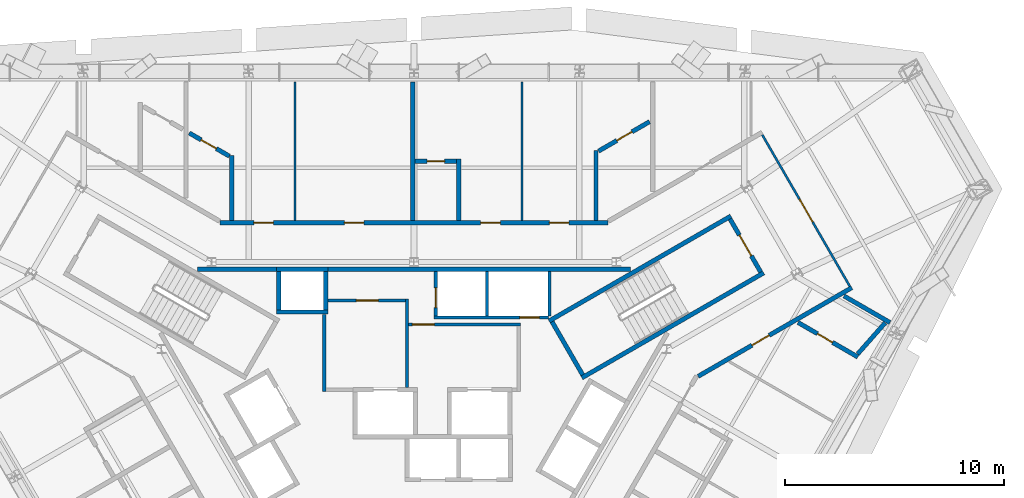
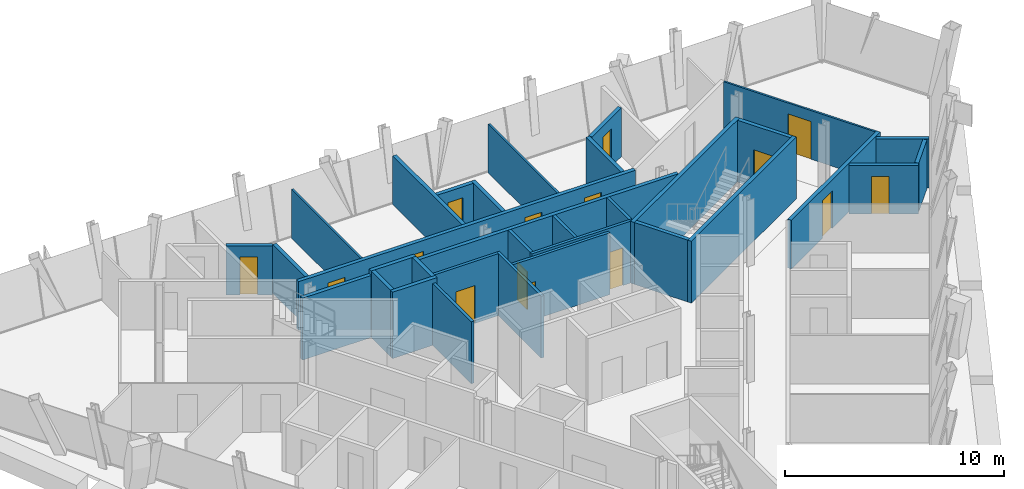
# One storey, part 8 of 11: 33 walls, 15 doors, 15 openings.
"""IFC4 building model written with IfcOpenShell, lengths in metres."""

from ifc_helpers import new_model, si_unit, direction, frame, frame_2d, origin, place, context, subcontext, project, spatial, rectangle, extrude, material, layer, layer_set, type_object, element, fill, save


model = new_model("IFC4")

# Units and contexts
model_context = context("Model", 3, precision=1e-05, world=origin(), true_north=direction((0.0, 1.0)))
body_context = subcontext(model_context, "Body", "Model", "MODEL_VIEW")
ifc_project = project(units=[si_unit("LENGTHUNIT", "METRE"), si_unit("AREAUNIT", "SQUARE_METRE"), si_unit("VOLUMEUNIT", "CUBIC_METRE"), si_unit("PLANEANGLEUNIT", "RADIAN"), si_unit("MASSUNIT", "GRAM", prefix="KILO")], contexts=[model_context])

# Site, building, storey
site_placement = place(None, origin())
site = spatial("IfcSite", under=ifc_project, at=site_placement, CompositionType="ELEMENT")
building_placement = place(site_placement, origin())
building = spatial("IfcBuilding", under=site, at=building_placement, Name="Verrane Prism Tower", CompositionType="ELEMENT")
storey_placement = place(building_placement, frame((0.0, 0.0, 156.199951171875)))
storey = spatial("IfcBuildingStorey", under=building, at=storey_placement, Name="L38", CompositionType="ELEMENT", Elevation=156.199951171875)

# Walls
ifc_material_1 = material(Name="Gypsum board partition", Category="other")
ifc_layer_1 = layer(ifc_material_1, 0.199951171875)
ifc_layer_set_1 = layer_set([ifc_layer_1], Name="CW-200 core boundary wall 2 h")
wall_type_1 = type_object("IfcWallType", Name="CW-200 core boundary wall 2 h", PredefinedType="PARTITIONING", material=ifc_layer_set_1)
wall_1_placement = place(storey_placement, frame((-9.907958984375, 7.659912109375, 0.0), z_axis=(0.0, 0.0, 1.0), x_axis=(1.0, 0.0, 0.0)))
element("IfcWall", 1, at=wall_1_placement, inside=storey, type_object=wall_type_1, Name="Core boundary wall CW3-002", PredefinedType="PARTITIONING", context=body_context, shape_type="SweptSolid", body=[
    extrude(rectangle(XDim=3.620849609375, YDim=0.199951171875, at=frame_2d((1.810546875, 0.0))), origin(), (0.0, 0.0, 1.0), 3.449951171875),
])
wall_2_placement = place(storey_placement, frame((-3.93310546875, 7.659912109375, 0.0), z_axis=(0.0, 0.0, 1.0), x_axis=(1.0, 0.0, 0.0)))
element("IfcWall", 2, at=wall_2_placement, inside=storey, type_object=wall_type_1, Name="Core boundary wall CW3-005", PredefinedType="PARTITIONING", context=body_context, shape_type="SweptSolid", body=[
    extrude(rectangle(XDim=13.841064453125, YDim=0.199951171875, at=frame_2d((6.92041015625, 0.0))), origin(), (0.0, 0.0, 1.0), 3.449951171875),
])

# Wall, opening, door
ifc_material_2 = material(Name="Concrete C40/50", Category="concrete")
ifc_layer_2 = layer(ifc_material_2, 0.199951171875)
ifc_layer_set_2 = layer_set([ifc_layer_2], Name="CW-200 stair core wall concrete C40/50 3 h")
wall_type_2 = type_object("IfcWallType", Name="CW-200 stair core wall concrete C40/50 3 h", PredefinedType="PARTITIONING", material=ifc_layer_set_2)
wall_3_placement = place(storey_placement, frame((15.85546875, 7.53759765625, 0.0), z_axis=(0.0, 0.0, 1.0), x_axis=(-0.500049511043, 0.865996816683, 0.0)))
wall_3 = element("IfcWall", 3, at=wall_3_placement, inside=storey, type_object=wall_type_2, Name="Stair 1 enclosure wall", PredefinedType="PARTITIONING", context=body_context, shape_type="SweptSolid", body=[
    extrude(rectangle(XDim=2.800048828125, YDim=0.199951171875, at=frame_2d((1.39990234375, 0.0))), origin(), (0.0, 0.0, 1.0), 3.449951171875),
])
opening_1_placement = place(wall_3_placement, frame((0.849853515625, 0.0, 0.0)))
opening_1 = element("IfcOpeningElement", 4, at=opening_1_placement, cuts=wall_3, Name="Opening D36500", PredefinedType="OPENING", context=body_context, shape_type="SweptSolid", body=[
    extrude(rectangle(XDim=1.10009765625, YDim=2.10009765625, at=frame_2d((0.550048828125, 1.050048828125))), frame((0.0, 0.10986328125, 0.0), z_axis=(0.0, -1.0, 0.0), x_axis=(1.0, 0.0, 0.0)), (0.0, 0.0, 1.0), 0.219970703125),
])
ifc_material_3 = material(Name="Timber veneered door leaf", Category="wood")
door_type_1 = type_object("IfcDoorType", Name="DR-1100x2100 FD90 single leaf stair", OperationType="NOTDEFINED", PredefinedType="DOOR", material=ifc_material_3)
door_1_placement = place(opening_1_placement, origin())
door_1 = element("IfcDoor", 5, at=door_1_placement, inside=storey, type_object=door_type_1, Name="Stair 1 door", OperationType="SINGLE_SWING_LEFT", OverallHeight=2.10009765625, OverallWidth=1.10009765625, PredefinedType="DOOR", context=body_context, shape_type="SweptSolid", body=[
    extrude(rectangle(XDim=1.10009765625, YDim=2.10009765625, at=frame_2d((0.550048828125, 1.050048828125))), frame((0.0, 0.02490234375, 0.0), z_axis=(0.0, -1.0, 0.0), x_axis=(1.0, 0.0, 0.0)), (0.0, 0.0, 1.0), 0.050048828125),
])
fill(opening_1, door_1)

# Walls
for number, where, z_axis, x_axis, name in (
    (6, (6.17822265625, 5.299072265625, 0.0), (0.0, 0.0, 1.0), (0.866019993635, 0.500009370536, 0.0), "Stair 1 enclosure wall"),
    (7, (7.67822265625, 2.700927734375, 0.0), (0.0, 0.0, 1.0), (0.866019993635, 0.500009370536, 0.0), "Stair 1 enclosure wall"),
):
    element("IfcWall", number, at=place(storey_placement, frame(where, z_axis=z_axis, x_axis=x_axis)), inside=storey, type_object=wall_type_2, Name=name, PredefinedType="PARTITIONING", context=body_context, shape_type="SweptSolid", body=[
        extrude(rectangle(XDim=9.599853515625, YDim=0.199951171875, at=frame_2d((4.7998046875, 0.0))), origin(), (0.0, 0.0, 1.0), 3.449951171875),
    ])
wall_4_placement = place(storey_placement, frame((7.71484375, 2.837646484375, 0.0), z_axis=(0.0, 0.0, 1.0), x_axis=(-0.500049511043, 0.865996816683, 0.0)))
element("IfcWall", 8, at=wall_4_placement, inside=storey, type_object=wall_type_2, Name="Stair 1 enclosure wall", PredefinedType="PARTITIONING", context=body_context, shape_type="SweptSolid", body=[
    extrude(rectangle(XDim=2.800048828125, YDim=0.199951171875, at=frame_2d((1.39990234375, 0.0))), origin(), (0.0, 0.0, 1.0), 3.449951171875),
])
ifc_material_4 = material(Name="Gypsum board shaft wall assembly", Category="other")
ifc_layer_3 = layer(ifc_material_4, 0.199951171875)
ifc_layer_set_3 = layer_set([ifc_layer_3], Name="HW-200 lift shaft wall 2 h")
wall_type_3 = type_object("IfcWallType", Name="HW-200 lift shaft wall 2 h", PredefinedType="PARTITIONING", material=ifc_layer_set_3)
for number, where, z_axis, x_axis, name in (
    (9, (-6.284912109375, 5.7099609375, 0.0), (0.0, 0.0, 1.0), (1.0, 0.0, 0.0), "Lift shaft wall"),
    (10, (-6.284912109375, 7.659912109375, 0.0), (0.0, 0.0, 1.0), (1.0, 0.0, 0.0), "Lift shaft wall"),
):
    element("IfcWall", number, at=place(storey_placement, frame(where, z_axis=z_axis, x_axis=x_axis)), inside=storey, type_object=wall_type_3, Name=name, PredefinedType="PARTITIONING", context=body_context, shape_type="SweptSolid", body=[
        extrude(rectangle(XDim=2.349853515625, YDim=0.199951171875, at=frame_2d((1.1748046875, 0.0))), origin(), (0.0, 0.0, 1.0), 3.699951171875),
    ])
for number, where, z_axis, x_axis, name in (
    (11, (-4.034912109375, 5.81005859375, 0.0), (0.0, 0.0, 1.0), (0.0, 1.0, 0.0), "Lift shaft wall"),
    (12, (-6.18505859375, 5.81005859375, 0.0), (0.0, 0.0, 1.0), (0.0, 1.0, 0.0), "Lift shaft wall"),
):
    element("IfcWall", number, at=place(storey_placement, frame(where, z_axis=z_axis, x_axis=x_axis)), inside=storey, type_object=wall_type_3, Name=name, PredefinedType="PARTITIONING", context=body_context, shape_type="SweptSolid", body=[
        extrude(rectangle(XDim=1.75, YDim=0.199951171875, at=frame_2d((0.875, 0.0))), origin(), (0.0, 0.0, 1.0), 3.699951171875),
    ])
ifc_material_5 = material(Name="Gypsum board partition", Category="other")
ifc_layer_4 = layer(ifc_material_5, 0.14990234375)
ifc_layer_set_4 = layer_set([ifc_layer_4], Name="LF-150 firefighting lobby wall 1 h")
wall_type_4 = type_object("IfcWallType", Name="LF-150 firefighting lobby wall 1 h", PredefinedType="PARTITIONING", material=ifc_layer_set_4)
wall_5_placement = place(storey_placement, frame((-4.10009765625, 2.0849609375, 0.0), z_axis=(0.0, 0.0, 1.0), x_axis=(0.0, 1.0, 0.0)))
element("IfcWall", 13, at=wall_5_placement, inside=storey, type_object=wall_type_4, Name="Firefighting lobby wall LF1-001", PredefinedType="PARTITIONING", context=body_context, shape_type="SweptSolid", body=[
    extrude(rectangle(XDim=3.52294921875, YDim=0.14990234375, at=frame_2d((1.761474609375, 0.0))), origin(), (0.0, 0.0, 1.0), 3.449951171875),
])

# Wall, opening, door
wall_6_placement = place(storey_placement, frame((-3.93310546875, 6.239990234375, 0.0), z_axis=(0.0, 0.0, 1.0), x_axis=(1.0, 0.0, 0.0)))
wall_6 = element("IfcWall", 14, at=wall_6_placement, inside=storey, type_object=wall_type_4, Name="Firefighting lobby wall LF1-003", PredefinedType="PARTITIONING", context=body_context, shape_type="SweptSolid", body=[
    extrude(rectangle(XDim=3.5380859375, YDim=0.14990234375, at=frame_2d((1.76904296875, 0.0))), origin(), (0.0, 0.0, 1.0), 3.449951171875),
])
opening_2_placement = place(wall_6_placement, frame((1.300048828125, 0.0, 0.0)))
opening_2 = element("IfcOpeningElement", 15, at=opening_2_placement, cuts=wall_6, Name="Opening D36512", PredefinedType="OPENING", context=body_context, shape_type="SweptSolid", body=[
    extrude(rectangle(XDim=1.0, YDim=2.10009765625, at=frame_2d((0.5, 1.050048828125))), frame((0.0, 0.0849609375, 0.0), z_axis=(0.0, -1.0, 0.0), x_axis=(1.0, 0.0, 0.0)), (0.0, 0.0, 1.0), 0.169921875),
])
ifc_material_6 = material(Name="Timber veneered door leaf", Category="wood")
door_type_2 = type_object("IfcDoorType", Name="DR-1000x2100 FD60 single leaf firefighting lobby", OperationType="NOTDEFINED", PredefinedType="DOOR", material=ifc_material_6)
door_2_placement = place(opening_2_placement, origin())
door_2 = element("IfcDoor", 16, at=door_2_placement, inside=storey, type_object=door_type_2, Name="Firefighting lobby door D36512", OperationType="SINGLE_SWING_LEFT", OverallHeight=2.10009765625, OverallWidth=1.0, PredefinedType="DOOR", context=body_context, shape_type="SweptSolid", body=[
    extrude(rectangle(XDim=1.0, YDim=2.10009765625, at=frame_2d((0.5, 1.050048828125))), frame((0.0, 0.02490234375, 0.0), z_axis=(0.0, -1.0, 0.0), x_axis=(1.0, 0.0, 0.0)), (0.0, 0.0, 1.0), 0.050048828125),
])
fill(opening_2, door_2)

# Wall
wall_7_placement = place(storey_placement, frame((-0.320068359375, 2.251953125, 0.0), z_axis=(0.0, 0.0, 1.0), x_axis=(0.0, 1.0, 0.0)))
element("IfcWall", 17, at=wall_7_placement, inside=storey, type_object=wall_type_4, Name="Firefighting lobby wall LF1-004", PredefinedType="PARTITIONING", context=body_context, shape_type="SweptSolid", body=[
    extrude(rectangle(XDim=4.06298828125, YDim=0.14990234375, at=frame_2d((2.031494140625, 0.0))), origin(), (0.0, 0.0, 1.0), 3.449951171875),
])

# Wall, opening, door
wall_8_placement = place(storey_placement, frame((-0.2451171875, 5.139892578125, 0.0), z_axis=(0.0, 0.0, 1.0), x_axis=(1.0, 0.0, 0.0)))
wall_8 = element("IfcWall", 18, at=wall_8_placement, inside=storey, type_object=wall_type_4, Name="Firefighting lobby wall LF1-005", PredefinedType="PARTITIONING", context=body_context, shape_type="SweptSolid", body=[
    extrude(rectangle(XDim=5.110107421875, YDim=0.14990234375, at=frame_2d((2.55517578125, 0.0))), origin(), (0.0, 0.0, 1.0), 3.449951171875),
])
opening_3_placement = place(wall_8_placement, frame((0.175048828125, 0.0, 0.0)))
opening_3 = element("IfcOpeningElement", 19, at=opening_3_placement, cuts=wall_8, Name="Opening D36513", PredefinedType="OPENING", context=body_context, shape_type="SweptSolid", body=[
    extrude(rectangle(XDim=1.0, YDim=2.10009765625, at=frame_2d((0.5, 1.050048828125))), frame((0.0, 0.0849609375, 0.0), z_axis=(0.0, -1.0, 0.0), x_axis=(1.0, 0.0, 0.0)), (0.0, 0.0, 1.0), 0.169921875),
])
door_3_placement = place(opening_3_placement, origin())
door_3 = element("IfcDoor", 20, at=door_3_placement, inside=storey, type_object=door_type_2, Name="Firefighting lobby door D36513", OperationType="SINGLE_SWING_LEFT", OverallHeight=2.10009765625, OverallWidth=1.0, PredefinedType="DOOR", context=body_context, shape_type="SweptSolid", body=[
    extrude(rectangle(XDim=1.0, YDim=2.10009765625, at=frame_2d((0.5, 1.050048828125))), frame((0.0, 0.02490234375, 0.0), z_axis=(0.0, -1.0, 0.0), x_axis=(1.0, 0.0, 0.0)), (0.0, 0.0, 1.0), 0.050048828125),
])
fill(opening_3, door_3)

# Walls
ifc_material_7 = material(Name="Gypsum board partition", Category="other")
ifc_layer_5 = layer(ifc_material_7, 0.10009765625)
ifc_layer_set_5 = layer_set([ifc_layer_5], Name="PW-100 room partition")
wall_type_5 = type_object("IfcWallType", Name="PW-100 room partition", PredefinedType="PARTITIONING", material=ifc_layer_set_5)
for number, where, z_axis, x_axis, name in (
    (21, (-5.43701171875, 9.89990234375, 0.0), (0.0, 0.0, 1.0), (0.0, 1.0, 0.0), "Room partition 023"),
    (22, (4.93798828125, 9.89990234375, 0.0), (0.0, 0.0, 1.0), (0.0, 1.0, 0.0), "Room partition 032"),
):
    element("IfcWall", number, at=place(storey_placement, frame(where, z_axis=z_axis, x_axis=x_axis)), inside=storey, type_object=wall_type_5, Name=name, PredefinedType="PARTITIONING", context=body_context, shape_type="SweptSolid", body=[
        extrude(rectangle(XDim=6.335205078125, YDim=0.10009765625, at=frame_2d((3.16748046875, 0.0))), origin(), (0.0, 0.0, 1.0), 2.713134765625),
    ])

# Wall, opening, door
wall_9_placement = place(storey_placement, frame((15.927978515625, 13.8115234375, 0.0), z_axis=(0.0, 0.0, 1.0), x_axis=(0.500420003794, -0.865782778648, 0.0)))
wall_9 = element("IfcWall", 23, at=wall_9_placement, inside=storey, type_object=wall_type_5, Name="Room partition 047", PredefinedType="PARTITIONING", context=body_context, shape_type="SweptSolid", body=[
    extrude(rectangle(XDim=7.9970703125, YDim=0.10009765625, at=frame_2d((3.99853515625, 0.0))), origin(), (0.0, 0.0, 1.0), 2.713134765625),
])
opening_4_placement = place(wall_9_placement, frame((3.39990234375, 0.0, 0.0)))
opening_4 = element("IfcOpeningElement", 24, at=opening_4_placement, cuts=wall_9, Name="Opening D36009", PredefinedType="OPENING", context=body_context, shape_type="SweptSolid", body=[
    extrude(rectangle(XDim=1.199951171875, YDim=2.10009765625, at=frame_2d((0.60009765625, 1.050048828125))), frame((0.0, 0.06005859375, 0.0), z_axis=(0.0, -1.0, 0.0), x_axis=(1.0, 0.0, 0.0)), (0.0, 0.0, 1.0), 0.1201171875),
])
ifc_material_8 = material(Name="Timber veneered door leaf", Category="wood")
door_type_3 = type_object("IfcDoorType", Name="DR-1200x2100 single leaf unit", OperationType="NOTDEFINED", PredefinedType="DOOR", material=ifc_material_8)
door_4_placement = place(opening_4_placement, origin())
door_4 = element("IfcDoor", 25, at=door_4_placement, inside=storey, type_object=door_type_3, Name="Living And Dining Room door", OperationType="SINGLE_SWING_LEFT", OverallHeight=2.10009765625, OverallWidth=1.199951171875, PredefinedType="DOOR", context=body_context, shape_type="SweptSolid", body=[
    extrude(rectangle(XDim=1.199951171875, YDim=2.10009765625, at=frame_2d((0.60009765625, 1.050048828125))), frame((0.0, 0.02490234375, 0.0), z_axis=(0.0, -1.0, 0.0), x_axis=(1.0, 0.0, 0.0)), (0.0, 0.0, 1.0), 0.050048828125),
])
fill(opening_4, door_4)

ifc_material_9 = material(Name="Gypsum board partition", Category="other")
ifc_layer_6 = layer(ifc_material_9, 0.199951171875)
ifc_layer_set_6 = layer_set([ifc_layer_6], Name="PW-200 plumbing wall")
wall_type_6 = type_object("IfcWallType", Name="PW-200 plumbing wall", PredefinedType="PARTITIONING", material=ifc_layer_set_6)
wall_10_placement = place(storey_placement, frame((-8.44189453125, 12.839599609375, 0.0), z_axis=(0.0, 0.0, 1.0), x_axis=(-0.866112597434, 0.499848945749, 0.0)))
wall_10 = element("IfcWall", 26, at=wall_10_placement, inside=storey, type_object=wall_type_6, Name="Plumbing wall 018", PredefinedType="PARTITIONING", context=body_context, shape_type="SweptSolid", body=[
    extrude(rectangle(XDim=2.116455078125, YDim=0.199951171875, at=frame_2d((1.05810546875, 0.0))), origin(), (0.0, 0.0, 1.0), 2.713134765625),
])
opening_5_placement = place(wall_10_placement, frame((0.689697265625, 0.0, 0.0)))
opening_5 = element("IfcOpeningElement", 27, at=opening_5_placement, cuts=wall_10, Name="Opening D36017", PredefinedType="OPENING", context=body_context, shape_type="SweptSolid", body=[
    extrude(rectangle(XDim=0.800048828125, YDim=2.10009765625, at=frame_2d((0.39990234375, 1.050048828125))), frame((0.0, 0.10986328125, 0.0), z_axis=(0.0, -1.0, 0.0), x_axis=(1.0, 0.0, 0.0)), (0.0, 0.0, 1.0), 0.219970703125),
])
ifc_material_10 = material(Name="Timber veneered door leaf", Category="wood")
door_type_4 = type_object("IfcDoorType", Name="DR-800x2100 single leaf bath", OperationType="NOTDEFINED", PredefinedType="DOOR", material=ifc_material_10)
door_5_placement = place(opening_5_placement, origin())
door_5 = element("IfcDoor", 28, at=door_5_placement, inside=storey, type_object=door_type_4, Name="Bathroom door", OperationType="SINGLE_SWING_RIGHT", OverallHeight=2.10009765625, OverallWidth=0.800048828125, PredefinedType="DOOR", context=body_context, shape_type="SweptSolid", body=[
    extrude(rectangle(XDim=0.800048828125, YDim=2.10009765625, at=frame_2d((0.39990234375, 1.050048828125))), frame((0.0, 0.02490234375, 0.0), z_axis=(0.0, -1.0, 0.0), x_axis=(1.0, 0.0, 0.0)), (0.0, 0.0, 1.0), 0.050048828125),
])
fill(opening_5, door_5)

# Wall, openings, doors
wall_11_placement = place(storey_placement, frame((-8.8779296875, 9.800048828125, 0.0), z_axis=(0.0, 0.0, 1.0), x_axis=(1.0, 0.0, 0.0)))
wall_11 = element("IfcWall", 29, at=wall_11_placement, inside=storey, type_object=wall_type_6, Name="Plumbing wall 020", PredefinedType="PARTITIONING", context=body_context, shape_type="SweptSolid", body=[
    extrude(rectangle(XDim=17.755859375, YDim=0.199951171875, at=frame_2d((8.8779296875, 0.0))), origin(), (0.0, 0.0, 1.0), 2.713134765625),
])
opening_6_placement = place(wall_11_placement, frame((15.06591796875, 0.0, 0.0)))
opening_6 = element("IfcOpeningElement", 30, at=opening_6_placement, cuts=wall_11, Name="Opening D36011", PredefinedType="OPENING", context=body_context, shape_type="SweptSolid", body=[
    extrude(rectangle(XDim=0.89990234375, YDim=2.10009765625, at=frame_2d((0.449951171875, 1.050048828125))), frame((0.0, 0.10986328125, 0.0), z_axis=(0.0, -1.0, 0.0), x_axis=(1.0, 0.0, 0.0)), (0.0, 0.0, 1.0), 0.219970703125),
])
opening_7_placement = place(wall_11_placement, frame((11.927978515625, 0.0, 0.0)))
opening_7 = element("IfcOpeningElement", 31, at=opening_7_placement, cuts=wall_11, Name="Opening D36013", PredefinedType="OPENING", context=body_context, shape_type="SweptSolid", body=[
    extrude(rectangle(XDim=0.89990234375, YDim=2.10009765625, at=frame_2d((0.449951171875, 1.050048828125))), frame((0.0, 0.10986328125, 0.0), z_axis=(0.0, -1.0, 0.0), x_axis=(1.0, 0.0, 0.0)), (0.0, 0.0, 1.0), 0.219970703125),
])
opening_8_placement = place(wall_11_placement, frame((5.69091796875, 0.0, 0.0)))
opening_8 = element("IfcOpeningElement", 32, at=opening_8_placement, cuts=wall_11, Name="Opening D36015", PredefinedType="OPENING", context=body_context, shape_type="SweptSolid", body=[
    extrude(rectangle(XDim=0.89990234375, YDim=2.10009765625, at=frame_2d((0.449951171875, 1.050048828125))), frame((0.0, 0.10986328125, 0.0), z_axis=(0.0, -1.0, 0.0), x_axis=(1.0, 0.0, 0.0)), (0.0, 0.0, 1.0), 0.219970703125),
])
opening_9_placement = place(wall_11_placement, frame((1.552978515625, 0.0, 0.0)))
opening_9 = element("IfcOpeningElement", 33, at=opening_9_placement, cuts=wall_11, Name="Opening D36016", PredefinedType="OPENING", context=body_context, shape_type="SweptSolid", body=[
    extrude(rectangle(XDim=0.89990234375, YDim=2.10009765625, at=frame_2d((0.449951171875, 1.050048828125))), frame((0.0, 0.10986328125, 0.0), z_axis=(0.0, -1.0, 0.0), x_axis=(1.0, 0.0, 0.0)), (0.0, 0.0, 1.0), 0.219970703125),
])
ifc_material_11 = material(Name="Timber veneered door leaf", Category="wood")
door_type_5 = type_object("IfcDoorType", Name="DR-900x2100 single leaf inner", OperationType="NOTDEFINED", PredefinedType="DOOR", material=ifc_material_11)
door_6_placement = place(opening_6_placement, origin())
door_6 = element("IfcDoor", 34, at=door_6_placement, inside=storey, type_object=door_type_5, Name="Master Bedroom door", OperationType="SINGLE_SWING_LEFT", OverallHeight=2.10009765625, OverallWidth=0.89990234375, PredefinedType="DOOR", context=body_context, shape_type="SweptSolid", body=[
    extrude(rectangle(XDim=0.89990234375, YDim=2.10009765625, at=frame_2d((0.449951171875, 1.050048828125))), frame((0.0, 0.02490234375, 0.0), z_axis=(0.0, -1.0, 0.0), x_axis=(1.0, 0.0, 0.0)), (0.0, 0.0, 1.0), 0.050048828125),
])
fill(opening_6, door_6)
door_7_placement = place(opening_7_placement, origin())
door_7 = element("IfcDoor", 35, at=door_7_placement, inside=storey, type_object=door_type_5, Name="Bedroom door", OperationType="SINGLE_SWING_LEFT", OverallHeight=2.10009765625, OverallWidth=0.89990234375, PredefinedType="DOOR", context=body_context, shape_type="SweptSolid", body=[
    extrude(rectangle(XDim=0.89990234375, YDim=2.10009765625, at=frame_2d((0.449951171875, 1.050048828125))), frame((0.0, 0.02490234375, 0.0), z_axis=(0.0, -1.0, 0.0), x_axis=(1.0, 0.0, 0.0)), (0.0, 0.0, 1.0), 0.050048828125),
])
fill(opening_7, door_7)
door_8_placement = place(opening_9_placement, origin())
door_8 = element("IfcDoor", 36, at=door_8_placement, inside=storey, type_object=door_type_5, Name="Bedroom door", OperationType="SINGLE_SWING_RIGHT", OverallHeight=2.10009765625, OverallWidth=0.89990234375, PredefinedType="DOOR", context=body_context, shape_type="SweptSolid", body=[
    extrude(rectangle(XDim=0.89990234375, YDim=2.10009765625, at=frame_2d((0.449951171875, 1.050048828125))), frame((0.0, 0.02490234375, 0.0), z_axis=(0.0, -1.0, 0.0), x_axis=(1.0, 0.0, 0.0)), (0.0, 0.0, 1.0), 0.050048828125),
])
fill(opening_9, door_8)
ifc_material_12 = material(Name="Timber veneered door leaf", Category="wood")
door_type_6 = type_object("IfcDoorType", Name="DR-900x2100 single leaf unit", OperationType="NOTDEFINED", PredefinedType="DOOR", material=ifc_material_12)
door_9_placement = place(opening_8_placement, origin())
door_9 = element("IfcDoor", 37, at=door_9_placement, inside=storey, type_object=door_type_6, Name="Study door", OperationType="SINGLE_SWING_LEFT", OverallHeight=2.10009765625, OverallWidth=0.89990234375, PredefinedType="DOOR", context=body_context, shape_type="SweptSolid", body=[
    extrude(rectangle(XDim=0.89990234375, YDim=2.10009765625, at=frame_2d((0.449951171875, 1.050048828125))), frame((0.0, 0.02490234375, 0.0), z_axis=(0.0, -1.0, 0.0), x_axis=(1.0, 0.0, 0.0)), (0.0, 0.0, 1.0), 0.050048828125),
])
fill(opening_8, door_9)

# Walls
wall_12_placement = place(storey_placement, frame((-8.324951171875, 9.89990234375, 0.0), z_axis=(0.0, 0.0, 1.0), x_axis=(0.0, 1.0, 0.0)))
element("IfcWall", 38, at=wall_12_placement, inside=storey, type_object=wall_type_6, Name="Plumbing wall 021", PredefinedType="PARTITIONING", context=body_context, shape_type="SweptSolid", body=[
    extrude(rectangle(XDim=2.97216796875, YDim=0.199951171875, at=frame_2d((1.486083984375, 0.0))), origin(), (0.0, 0.0, 1.0), 2.713134765625),
])
wall_13_placement = place(storey_placement, frame((-0.050048828125, 9.89990234375, 0.0), z_axis=(0.0, 0.0, 1.0), x_axis=(0.0, 1.0, 0.0)))
element("IfcWall", 39, at=wall_13_placement, inside=storey, type_object=wall_type_6, Name="Plumbing wall 026", PredefinedType="PARTITIONING", context=body_context, shape_type="SweptSolid", body=[
    extrude(rectangle(XDim=6.335205078125, YDim=0.199951171875, at=frame_2d((3.16748046875, 0.0))), origin(), (0.0, 0.0, 1.0), 2.713134765625),
])

# Wall, opening, door
wall_14_placement = place(storey_placement, frame((1.949951171875, 12.60009765625, 0.0), z_axis=(0.0, 0.0, 1.0), x_axis=(-1.0, 0.0, 0.0)))
wall_14 = element("IfcWall", 40, at=wall_14_placement, inside=storey, type_object=wall_type_6, Name="Plumbing wall 027", PredefinedType="PARTITIONING", context=body_context, shape_type="SweptSolid", body=[
    extrude(rectangle(XDim=1.89990234375, YDim=0.199951171875, at=frame_2d((0.949951171875, 0.0))), origin(), (0.0, 0.0, 1.0), 2.713134765625),
])
opening_10_placement = place(wall_14_placement, frame((0.550048828125, 0.0, 0.0)))
opening_10 = element("IfcOpeningElement", 41, at=opening_10_placement, cuts=wall_14, Name="Opening D36014", PredefinedType="OPENING", context=body_context, shape_type="SweptSolid", body=[
    extrude(rectangle(XDim=0.800048828125, YDim=2.10009765625, at=frame_2d((0.39990234375, 1.050048828125))), frame((0.0, 0.10986328125, 0.0), z_axis=(0.0, -1.0, 0.0), x_axis=(1.0, 0.0, 0.0)), (0.0, 0.0, 1.0), 0.219970703125),
])
door_10_placement = place(opening_10_placement, origin())
door_10 = element("IfcDoor", 42, at=door_10_placement, inside=storey, type_object=door_type_4, Name="Bathroom door", OperationType="SINGLE_SWING_LEFT", OverallHeight=2.10009765625, OverallWidth=0.800048828125, PredefinedType="DOOR", context=body_context, shape_type="SweptSolid", body=[
    extrude(rectangle(XDim=0.800048828125, YDim=2.10009765625, at=frame_2d((0.39990234375, 1.050048828125))), frame((0.0, 0.02490234375, 0.0), z_axis=(0.0, -1.0, 0.0), x_axis=(1.0, 0.0, 0.0)), (0.0, 0.0, 1.0), 0.050048828125),
])
fill(opening_10, door_10)

# Walls
wall_15_placement = place(storey_placement, frame((2.050048828125, 9.89990234375, 0.0), z_axis=(0.0, 0.0, 1.0), x_axis=(0.0, 1.0, 0.0)))
element("IfcWall", 43, at=wall_15_placement, inside=storey, type_object=wall_type_6, Name="Plumbing wall 028", PredefinedType="PARTITIONING", context=body_context, shape_type="SweptSolid", body=[
    extrude(rectangle(XDim=2.800048828125, YDim=0.199951171875, at=frame_2d((1.39990234375, 0.0))), origin(), (0.0, 0.0, 1.0), 2.713134765625),
])
wall_16_placement = place(storey_placement, frame((8.323974609375, 9.89990234375, 0.0), z_axis=(0.0, 0.0, 1.0), x_axis=(0.0, 1.0, 0.0)))
element("IfcWall", 44, at=wall_16_placement, inside=storey, type_object=wall_type_6, Name="Plumbing wall 034", PredefinedType="PARTITIONING", context=body_context, shape_type="SweptSolid", body=[
    extrude(rectangle(XDim=3.2021484375, YDim=0.199951171875, at=frame_2d((1.60107421875, 0.0))), origin(), (0.0, 0.0, 1.0), 2.713134765625),
])

# Wall, opening, door
wall_17_placement = place(storey_placement, frame((10.77392578125, 14.41552734375, 0.0), z_axis=(0.0, 0.0, 1.0), x_axis=(-0.866188604127, -0.499717222117, 0.0)))
wall_17 = element("IfcWall", 45, at=wall_17_placement, inside=storey, type_object=wall_type_6, Name="Plumbing wall 035", PredefinedType="PARTITIONING", context=body_context, shape_type="SweptSolid", body=[
    extrude(rectangle(XDim=2.693359375, YDim=0.199951171875, at=frame_2d((1.3466796875, 0.0))), origin(), (0.0, 0.0, 1.0), 2.713134765625),
])
opening_11_placement = place(wall_17_placement, frame((0.928466796875, 0.0, 0.0)))
opening_11 = element("IfcOpeningElement", 46, at=opening_11_placement, cuts=wall_17, Name="Opening D36012", PredefinedType="OPENING", context=body_context, shape_type="SweptSolid", body=[
    extrude(rectangle(XDim=0.800048828125, YDim=2.10009765625, at=frame_2d((0.39990234375, 1.050048828125))), frame((0.0, 0.10986328125, 0.0), z_axis=(0.0, -1.0, 0.0), x_axis=(1.0, 0.0, 0.0)), (0.0, 0.0, 1.0), 0.219970703125),
])
door_11_placement = place(opening_11_placement, origin())
door_11 = element("IfcDoor", 47, at=door_11_placement, inside=storey, type_object=door_type_4, Name="Master Bathroom door", OperationType="SINGLE_SWING_LEFT", OverallHeight=2.10009765625, OverallWidth=0.800048828125, PredefinedType="DOOR", context=body_context, shape_type="SweptSolid", body=[
    extrude(rectangle(XDim=0.800048828125, YDim=2.10009765625, at=frame_2d((0.39990234375, 1.050048828125))), frame((0.0, 0.02490234375, 0.0), z_axis=(0.0, -1.0, 0.0), x_axis=(1.0, 0.0, 0.0)), (0.0, 0.0, 1.0), 0.050048828125),
])
fill(opening_11, door_11)

wall_18_placement = place(storey_placement, frame((20.023193359375, 6.825927734375, 0.0), z_axis=(0.0, 0.0, 1.0), x_axis=(-0.866100425926, -0.499870035319, 0.0)))
wall_18 = element("IfcWall", 48, at=wall_18_placement, inside=storey, type_object=wall_type_6, Name="Plumbing wall 043", PredefinedType="PARTITIONING", context=body_context, shape_type="SweptSolid", body=[
    extrude(rectangle(XDim=8.114990234375, YDim=0.199951171875, at=frame_2d((4.0576171875, 0.0))), origin(), (0.0, 0.0, 1.0), 2.713134765625),
])
opening_12_placement = place(wall_18_placement, frame((4.373046875, 0.0, 0.0)))
opening_12 = element("IfcOpeningElement", 49, at=opening_12_placement, cuts=wall_18, Name="Opening D36007", PredefinedType="OPENING", context=body_context, shape_type="SweptSolid", body=[
    extrude(rectangle(XDim=0.89990234375, YDim=2.10009765625, at=frame_2d((0.449951171875, 1.050048828125))), frame((0.0, 0.10986328125, 0.0), z_axis=(0.0, -1.0, 0.0), x_axis=(1.0, 0.0, 0.0)), (0.0, 0.0, 1.0), 0.219970703125),
])
door_12_placement = place(opening_12_placement, origin())
door_12 = element("IfcDoor", 50, at=door_12_placement, inside=storey, type_object=door_type_5, Name="Bedroom door", OperationType="SINGLE_SWING_RIGHT", OverallHeight=2.10009765625, OverallWidth=0.89990234375, PredefinedType="DOOR", context=body_context, shape_type="SweptSolid", body=[
    extrude(rectangle(XDim=0.89990234375, YDim=2.10009765625, at=frame_2d((0.449951171875, 1.050048828125))), frame((0.0, 0.02490234375, 0.0), z_axis=(0.0, -1.0, 0.0), x_axis=(1.0, 0.0, 0.0)), (0.0, 0.0, 1.0), 0.050048828125),
])
fill(opening_12, door_12)

wall_19_placement = place(storey_placement, frame((17.56201171875, 5.232421875, 0.0), z_axis=(0.0, 0.0, 1.0), x_axis=(0.866109679077, -0.499854002494, 0.0)))
wall_19 = element("IfcWall", 51, at=wall_19_placement, inside=storey, type_object=wall_type_6, Name="Plumbing wall 048", PredefinedType="PARTITIONING", context=body_context, shape_type="SweptSolid", body=[
    extrude(rectangle(XDim=3.15966796875, YDim=0.199951171875, at=frame_2d((1.579833984375, 0.0))), origin(), (0.0, 0.0, 1.0), 2.713134765625),
])
opening_13_placement = place(wall_19_placement, frame((1.02685546875, 0.0, 0.0)))
opening_13 = element("IfcOpeningElement", 52, at=opening_13_placement, cuts=wall_19, Name="Opening D36008", PredefinedType="OPENING", context=body_context, shape_type="SweptSolid", body=[
    extrude(rectangle(XDim=0.800048828125, YDim=2.10009765625, at=frame_2d((0.39990234375, 1.050048828125))), frame((0.0, 0.10986328125, 0.0), z_axis=(0.0, -1.0, 0.0), x_axis=(1.0, 0.0, 0.0)), (0.0, 0.0, 1.0), 0.219970703125),
])
door_13_placement = place(opening_13_placement, origin())
door_13 = element("IfcDoor", 53, at=door_13_placement, inside=storey, type_object=door_type_4, Name="Bathroom door", OperationType="SINGLE_SWING_RIGHT", OverallHeight=2.10009765625, OverallWidth=0.800048828125, PredefinedType="DOOR", context=body_context, shape_type="SweptSolid", body=[
    extrude(rectangle(XDim=0.800048828125, YDim=2.10009765625, at=frame_2d((0.39990234375, 1.050048828125))), frame((0.0, 0.02490234375, 0.0), z_axis=(0.0, -1.0, 0.0), x_axis=(1.0, 0.0, 0.0)), (0.0, 0.0, 1.0), 0.050048828125),
])
fill(opening_13, door_13)

# Walls
wall_20_placement = place(storey_placement, frame((19.662841796875, 6.4453125, 0.0), z_axis=(0.0, 0.0, 1.0), x_axis=(0.86589602499, -0.50022402372, 0.0)))
element("IfcWall", 54, at=wall_20_placement, inside=storey, type_object=wall_type_6, Name="Plumbing wall 049", PredefinedType="PARTITIONING", context=body_context, shape_type="SweptSolid", body=[
    extrude(rectangle(XDim=2.4296875, YDim=0.199951171875, at=frame_2d((1.21484375, 0.0))), origin(), (0.0, 0.0, 1.0), 2.713134765625),
])
wall_21_placement = place(storey_placement, frame((20.291259765625, 3.79296875, 0.0), z_axis=(0.0, 0.0, 1.0), x_axis=(0.661392149771, 0.750040281733, 0.0)))
element("IfcWall", 55, at=wall_21_placement, inside=storey, type_object=wall_type_6, Name="Plumbing wall 050", PredefinedType="PARTITIONING", context=body_context, shape_type="SweptSolid", body=[
    extrude(rectangle(XDim=1.900390625, YDim=0.199951171875, at=frame_2d((0.9501953125, 0.0))), origin(), (0.0, 0.0, 1.0), 2.713134765625),
])

# Wall, opening, door
ifc_material_13 = material(Name="Gypsum board partition", Category="other")
ifc_layer_7 = layer(ifc_material_13, 0.14990234375)
ifc_layer_set_7 = layer_set([ifc_layer_7], Name="RS-150 riser enclosure wall 1 h")
wall_type_7 = type_object("IfcWallType", Name="RS-150 riser enclosure wall 1 h", PredefinedType="PARTITIONING", material=ifc_layer_set_7)
wall_22_placement = place(storey_placement, frame((1.0, 7.56005859375, 0.0), z_axis=(0.0, 0.0, 1.0), x_axis=(0.0, -1.0, 0.0)))
wall_22 = element("IfcWall", 56, at=wall_22_placement, inside=storey, type_object=wall_type_7, Name="Riser wall RS3-001", PredefinedType="PARTITIONING", context=body_context, shape_type="SweptSolid", body=[
    extrude(rectangle(XDim=2.025146484375, YDim=0.14990234375, at=frame_2d((1.0126953125, 0.0))), origin(), (0.0, 0.0, 1.0), 3.449951171875),
])
opening_14_placement = place(wall_22_placement, frame((0.75, 0.0, 0.0)))
opening_14 = element("IfcOpeningElement", 57, at=opening_14_placement, cuts=wall_22, Name="Opening D36514", PredefinedType="OPENING", context=body_context, shape_type="SweptSolid", body=[
    extrude(rectangle(XDim=0.89990234375, YDim=2.10009765625, at=frame_2d((0.449951171875, 1.050048828125))), frame((0.0, 0.0849609375, 0.0), z_axis=(0.0, -1.0, 0.0), x_axis=(1.0, 0.0, 0.0)), (0.0, 0.0, 1.0), 0.169921875),
])
ifc_material_14 = material(Name="Timber veneered door leaf", Category="wood")
door_type_7 = type_object("IfcDoorType", Name="DR-900x2100 FD60 single leaf riser", OperationType="NOTDEFINED", PredefinedType="DOOR", material=ifc_material_14)
door_14_placement = place(opening_14_placement, origin())
door_14 = element("IfcDoor", 58, at=door_14_placement, inside=storey, type_object=door_type_7, Name="Riser door D36514", OperationType="SINGLE_SWING_RIGHT", OverallHeight=2.10009765625, OverallWidth=0.89990234375, PredefinedType="DOOR", context=body_context, shape_type="SweptSolid", body=[
    extrude(rectangle(XDim=0.89990234375, YDim=2.10009765625, at=frame_2d((0.449951171875, 1.050048828125))), frame((0.0, 0.02490234375, 0.0), z_axis=(0.0, -1.0, 0.0), x_axis=(1.0, 0.0, 0.0)), (0.0, 0.0, 1.0), 0.050048828125),
])
fill(opening_14, door_14)

wall_23_placement = place(storey_placement, frame((0.925048828125, 5.4599609375, 0.0), z_axis=(0.0, 0.0, 1.0), x_axis=(1.0, 0.0, 0.0)))
wall_23 = element("IfcWall", 59, at=wall_23_placement, inside=storey, type_object=wall_type_7, Name="Riser wall RS3-002", PredefinedType="PARTITIONING", context=body_context, shape_type="SweptSolid", body=[
    extrude(rectangle(XDim=5.219970703125, YDim=0.14990234375, at=frame_2d((2.60986328125, 0.0))), origin(), (0.0, 0.0, 1.0), 3.449951171875),
])
opening_15_placement = place(wall_23_placement, frame((3.9150390625, 0.0, 0.0)))
opening_15 = element("IfcOpeningElement", 60, at=opening_15_placement, cuts=wall_23, Name="Opening D36515", PredefinedType="OPENING", context=body_context, shape_type="SweptSolid", body=[
    extrude(rectangle(XDim=0.89990234375, YDim=2.10009765625, at=frame_2d((0.449951171875, 1.050048828125))), frame((0.0, 0.0849609375, 0.0), z_axis=(0.0, -1.0, 0.0), x_axis=(1.0, 0.0, 0.0)), (0.0, 0.0, 1.0), 0.169921875),
])
door_15_placement = place(opening_15_placement, origin())
door_15 = element("IfcDoor", 61, at=door_15_placement, inside=storey, type_object=door_type_7, Name="Riser door D36515", OperationType="SINGLE_SWING_RIGHT", OverallHeight=2.10009765625, OverallWidth=0.89990234375, PredefinedType="DOOR", context=body_context, shape_type="SweptSolid", body=[
    extrude(rectangle(XDim=0.89990234375, YDim=2.10009765625, at=frame_2d((0.449951171875, 1.050048828125))), frame((0.0, 0.02490234375, 0.0), z_axis=(0.0, -1.0, 0.0), x_axis=(1.0, 0.0, 0.0)), (0.0, 0.0, 1.0), 0.050048828125),
])
fill(opening_15, door_15)

# Walls
for number, where, z_axis, x_axis, name in (
    (62, (3.340087890625, 5.534912109375, 0.0), (0.0, 0.0, 1.0), (0.0, 1.0, 0.0), "Riser wall RS3-006"),
    (63, (6.199951171875, 5.534912109375, 0.0), (0.0, 0.0, 1.0), (0.0, 1.0, 0.0), "Riser wall RS3-007"),
):
    element("IfcWall", number, at=place(storey_placement, frame(where, z_axis=z_axis, x_axis=x_axis)), inside=storey, type_object=wall_type_7, Name=name, PredefinedType="PARTITIONING", context=body_context, shape_type="SweptSolid", body=[
        extrude(rectangle(XDim=2.025146484375, YDim=0.14990234375, at=frame_2d((1.0126953125, 0.0))), origin(), (0.0, 0.0, 1.0), 3.449951171875),
    ])

save(model, "model.ifc")
